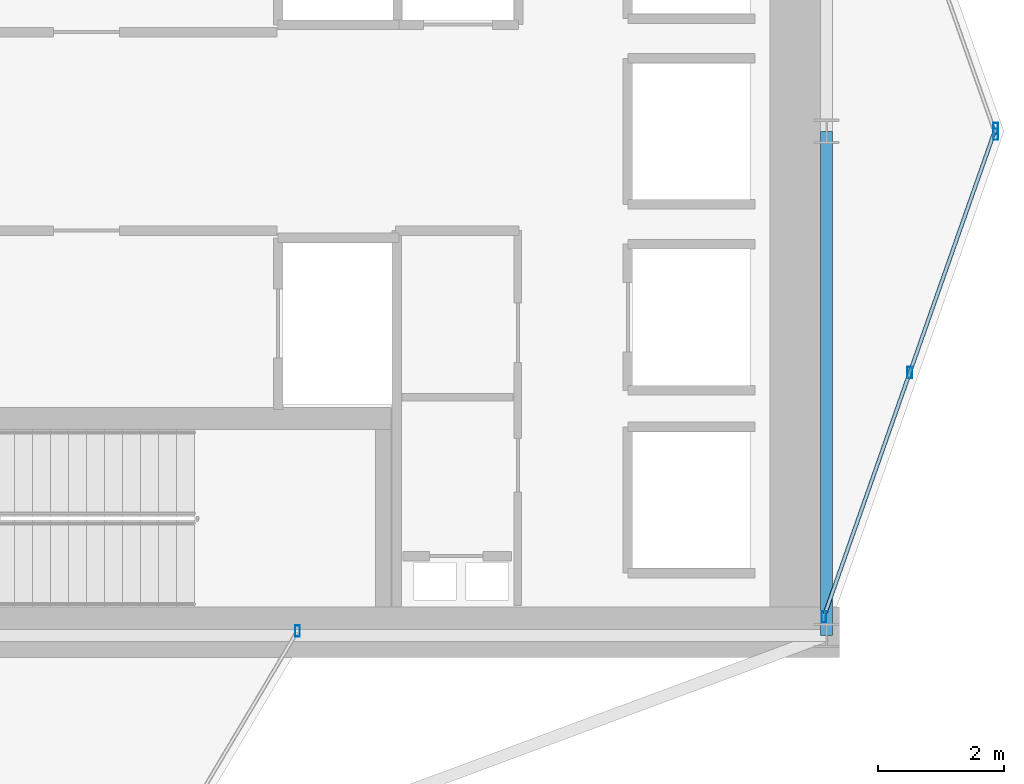
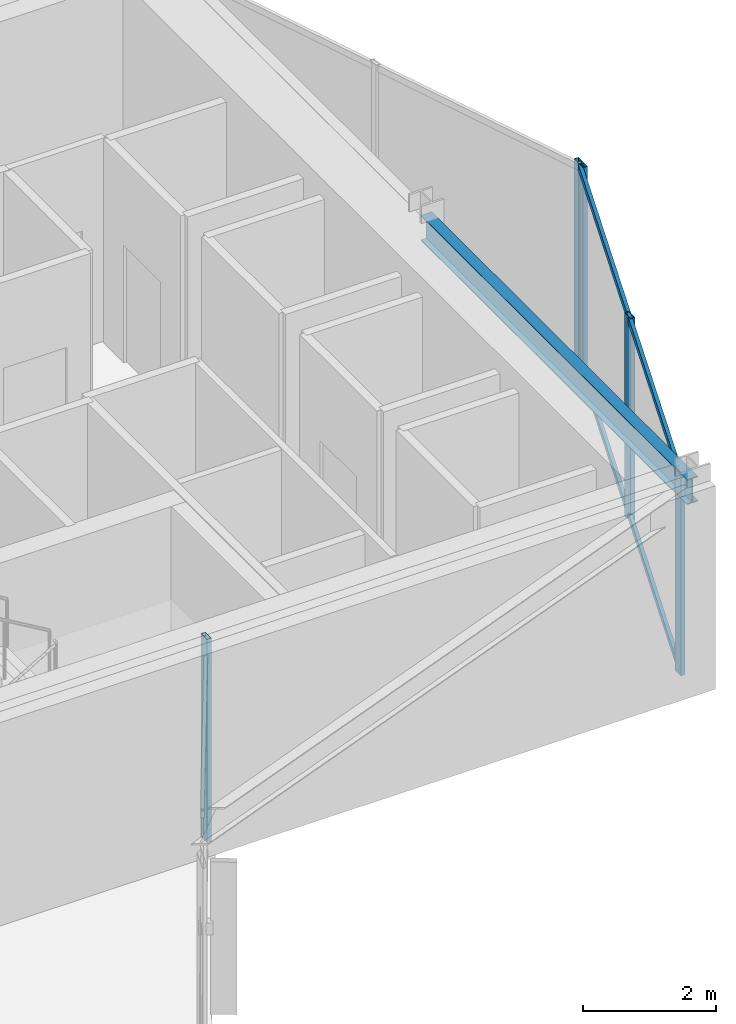
# One storey, part 14 of 23: 7 members, 1 beam, 3 elements without a shape of their own.
"""IFC4 building model written with IfcOpenShell, lengths in metres."""

from ifc_helpers import new_model, si_unit, direction, frame, origin, origin_2d, place, context, subcontext, project, spatial, hollow_rectangle, i_section, extrude, material, layer, layer_set, material_profile, profile_set, type_object, element, aggregate, save


model = new_model("IFC4")

# Units and contexts
model_context = context("Model", 3, precision=1e-05, world=origin(), true_north=direction((0.0, 1.0)))
body_context = subcontext(model_context, "Body", "Model", "MODEL_VIEW")
ifc_project = project(units=[si_unit("LENGTHUNIT", "METRE"), si_unit("AREAUNIT", "SQUARE_METRE"), si_unit("VOLUMEUNIT", "CUBIC_METRE"), si_unit("PLANEANGLEUNIT", "RADIAN"), si_unit("MASSUNIT", "GRAM", prefix="KILO")], contexts=[model_context])

# Site, building, storey
site_placement = place(None, origin())
site = spatial("IfcSite", under=ifc_project, at=site_placement, CompositionType="ELEMENT")
building_placement = place(site_placement, origin())
building = spatial("IfcBuilding", under=site, at=building_placement, Name="Veymaron Broadcast Tower", CompositionType="ELEMENT")
storey_placement = place(building_placement, frame((0.0, 0.0, 177.60009765625)))
storey = spatial("IfcBuildingStorey", under=building, at=storey_placement, Name="L41", CompositionType="ELEMENT", Elevation=177.60009765625)

# Beam
ifc_material_1 = material(Name="Structural steel ASTM A992 Gr 50", Category="steel")
ifc_material_profile_1 = material_profile(ifc_material_1, i_section(OverallWidth=0.19091796875, OverallDepth=0.4599609375, WebThickness=0.010009765625, FlangeThickness=0.01611328125, at=origin_2d()), Name="W460X82")
ifc_profile_set_1 = profile_set([ifc_material_profile_1], Name="Structural steel ASTM A992 Gr 50")
beam_type = type_object("IfcBeamType", Name="BM-SP1", PredefinedType="SPANDREL", material=ifc_profile_set_1)
beam_placement = place(storey_placement, frame((54.60009765625, 16.0, 3.5), z_axis=(0.0, 1.0, 0.0), x_axis=(-1.0, 0.0, 0.0)))
element("IfcBeam", 1, at=beam_placement, inside=storey, type_object=beam_type, Name="L41 primary structural floor girder", PredefinedType="SPANDREL", context=body_context, shape_type="SweptSolid", body=[
    extrude(i_section(OverallWidth=0.19091796875, OverallDepth=0.4599609375, WebThickness=0.010009765625, FlangeThickness=0.01611328125, at=origin_2d()), origin(), (0.0, 0.0, 1.0), 8.0),
])

# Curtain wall, members
ifc_material_2 = material(Name="Anodised aluminium AA 6063-T6 and laminated low-E dark glass", Category="aluminium")
ifc_layer = layer(ifc_material_2, 0.179931640625)
ifc_layer_set = layer_set([ifc_layer], Name="Anodised aluminium AA 6063-T6 and laminated low-E dark glass")
curtain_wall_type = type_object("IfcCurtainWallType", Name="CW-SYS-03", PredefinedType="NOTDEFINED", material=ifc_layer_set)
curtain_wall_1_placement = place(storey_placement, origin())
curtain_wall_1 = element("IfcCurtainWall", 2, at=curtain_wall_1_placement, inside=storey, type_object=curtain_wall_type, Name="L41 dark-glass curtain wall CW-L41-E2-1", PredefinedType="NOTDEFINED")
ifc_material_3 = material(Name="Anodised aluminium AA 6063-T6", Category="aluminium")
ifc_material_profile_2 = material_profile(ifc_material_3, hollow_rectangle(XDim=0.074951171875, YDim=0.179931640625, WallThickness=0.0048828125, at=origin_2d()), Name="AL180X75X5")
ifc_profile_set_2 = profile_set([ifc_material_profile_2], Name="Anodised aluminium AA 6063-T6")
member_type_1 = type_object("IfcMemberType", Name="CW-MUL-02", PredefinedType="MULLION", material=ifc_profile_set_2)
member_1_placement = place(storey_placement, frame((54.556396484375, 16.2978515625, 0.0), z_axis=(0.0, 0.0, 1.0), x_axis=(1.0, 0.0, 0.0)))
member_1 = element("IfcMember", 3, at=member_1_placement, type_object=member_type_1, Name="CW-L41-E2-1 mullion 0", PredefinedType="MULLION", context=body_context, shape_type="SweptSolid", body=[
    extrude(hollow_rectangle(XDim=0.074951171875, YDim=0.179931640625, WallThickness=0.0048828125, at=origin_2d()), origin(), (0.0, 0.0, 1.0), 3.72998046875),
])
member_2_placement = place(storey_placement, frame((55.919189453125, 20.172119140625, 0.0), z_axis=(0.0, 0.0, 1.0), x_axis=(1.0, 0.0, 0.0)))
member_2 = element("IfcMember", 4, at=member_2_placement, type_object=member_type_1, Name="CW-L41-E2-1 mullion 1", PredefinedType="MULLION", context=body_context, shape_type="SweptSolid", body=[
    extrude(hollow_rectangle(XDim=0.074951171875, YDim=0.179931640625, WallThickness=0.0048828125, at=origin_2d()), origin(), (0.0, 0.0, 1.0), 3.72998046875),
])
member_3_placement = place(storey_placement, frame((57.281982421875, 24.04638671875, 0.0), z_axis=(0.0, 0.0, 1.0), x_axis=(1.0, 0.0, 0.0)))
member_3 = element("IfcMember", 5, at=member_3_placement, type_object=member_type_1, Name="CW-L41-E2-1 mullion 2", PredefinedType="MULLION", context=body_context, shape_type="SweptSolid", body=[
    extrude(hollow_rectangle(XDim=0.074951171875, YDim=0.179931640625, WallThickness=0.0048828125, at=origin_2d()), origin(), (0.0, 0.0, 1.0), 3.72998046875),
])

# Curtain wall, member
curtain_wall_2_placement = place(storey_placement, origin())
curtain_wall_2 = element("IfcCurtainWall", 6, at=curtain_wall_2_placement, inside=storey, type_object=curtain_wall_type, Name="L41 dark-glass curtain wall CW-L41-E3-1", PredefinedType="NOTDEFINED")
member_4_placement = place(storey_placement, frame((57.281982421875, 23.95361328125, 0.0), z_axis=(0.0, 0.0, 1.0), x_axis=(1.0, 0.0, 0.0)))
member_4 = element("IfcMember", 7, at=member_4_placement, type_object=member_type_1, Name="CW-L41-E3-1 mullion 0", PredefinedType="MULLION", context=body_context, shape_type="SweptSolid", body=[
    extrude(hollow_rectangle(XDim=0.074951171875, YDim=0.179931640625, WallThickness=0.0048828125, at=origin_2d()), origin(), (0.0, 0.0, 1.0), 3.72998046875),
])
aggregate(curtain_wall_2, [member_4])

curtain_wall_3_placement = place(storey_placement, origin())
curtain_wall_3 = element("IfcCurtainWall", 8, at=curtain_wall_3_placement, inside=storey, type_object=curtain_wall_type, Name="L41 dark-glass curtain wall CW-L41-E20-1", PredefinedType="NOTDEFINED")
member_5_placement = place(storey_placement, frame((46.203857421875, 16.071533203125, 0.0), z_axis=(0.0, 0.0, 1.0), x_axis=(1.0, 0.0, 0.0)))
member_5 = element("IfcMember", 9, at=member_5_placement, type_object=member_type_1, Name="CW-L41-E20-1 mullion 2", PredefinedType="MULLION", context=body_context, shape_type="SweptSolid", body=[
    extrude(hollow_rectangle(XDim=0.074951171875, YDim=0.179931640625, WallThickness=0.0048828125, at=origin_2d()), origin(), (0.0, 0.0, 1.0), 3.72998046875),
])
aggregate(curtain_wall_3, [member_5])

# Member
ifc_material_profile_3 = material_profile(ifc_material_3, hollow_rectangle(XDim=0.06005859375, YDim=0.1201171875, WallThickness=0.00390625, at=origin_2d()), Name="AL120X60X4")
ifc_profile_set_3 = profile_set([ifc_material_profile_3], Name="Anodised aluminium AA 6063-T6")
member_type_2 = type_object("IfcMemberType", Name="CW-TRN-02", PredefinedType="USERDEFINED", material=ifc_profile_set_3)
member_6_placement = place(storey_placement, frame((54.572998046875, 16.34521484375, 0.06982421875), z_axis=(0.331828364923, 0.943339777722, 0.0), x_axis=(-0.943339777722, 0.331828364923, 0.0)))
member_6 = element("IfcMember", 10, at=member_6_placement, type_object=member_type_2, Name="CW-L41-E2-1 transom B", ObjectType="TRANSOM", PredefinedType="USERDEFINED", context=body_context, shape_type="SweptSolid", body=[
    extrude(hollow_rectangle(XDim=0.06005859375, YDim=0.1201171875, WallThickness=0.00390625, at=origin_2d()), origin(), (0.0, 0.0, 1.0), 8.11376953125),
])

member_7_placement = place(storey_placement, frame((54.572998046875, 16.34521484375, 3.659912109375), z_axis=(0.331828364923, 0.943339777722, 0.0), x_axis=(-0.943339777722, 0.331828364923, 0.0)))
member_7 = element("IfcMember", 11, at=member_7_placement, type_object=member_type_2, Name="CW-L41-E2-1 transom T", ObjectType="TRANSOM", PredefinedType="USERDEFINED", context=body_context, shape_type="SweptSolid", body=[
    extrude(hollow_rectangle(XDim=0.06005859375, YDim=0.1201171875, WallThickness=0.00390625, at=origin_2d()), origin(), (0.0, 0.0, 1.0), 8.11376953125),
])

aggregate(curtain_wall_1, [member_1, member_2, member_3, member_6, member_7])

save(model, "model.ifc")
